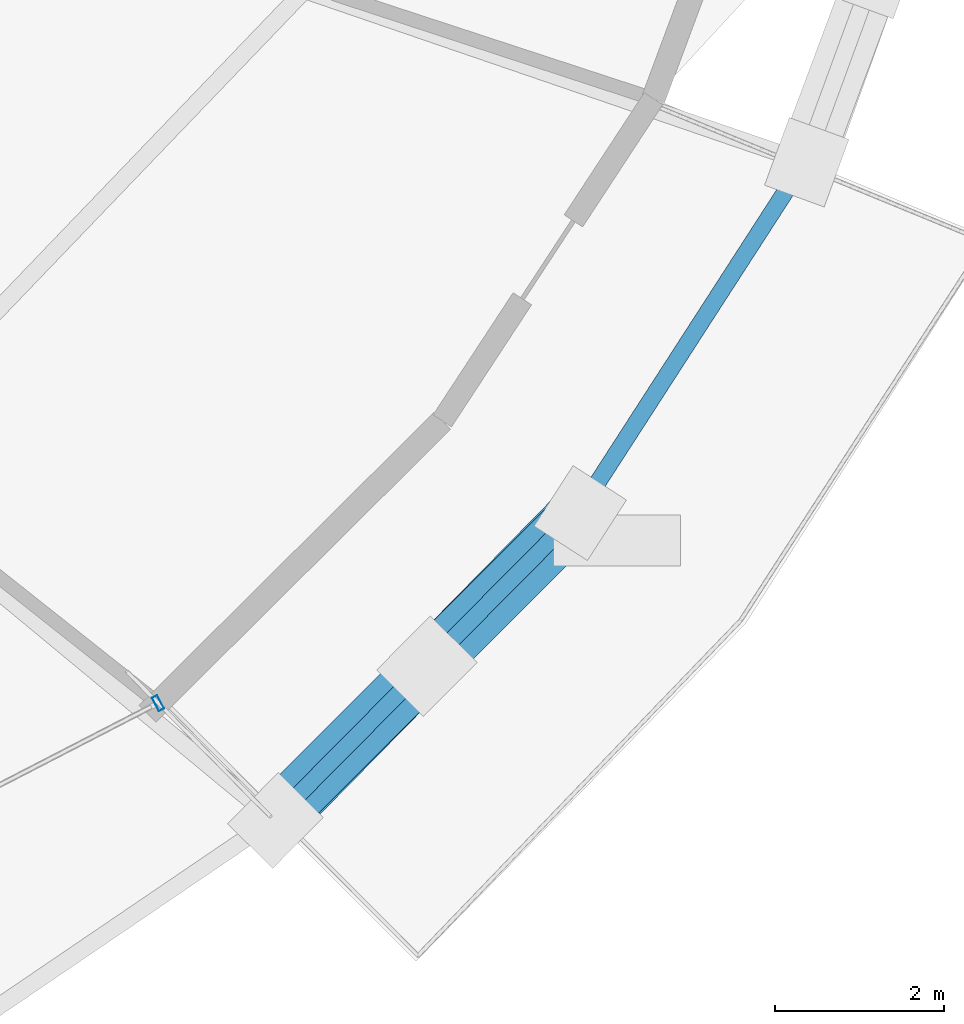
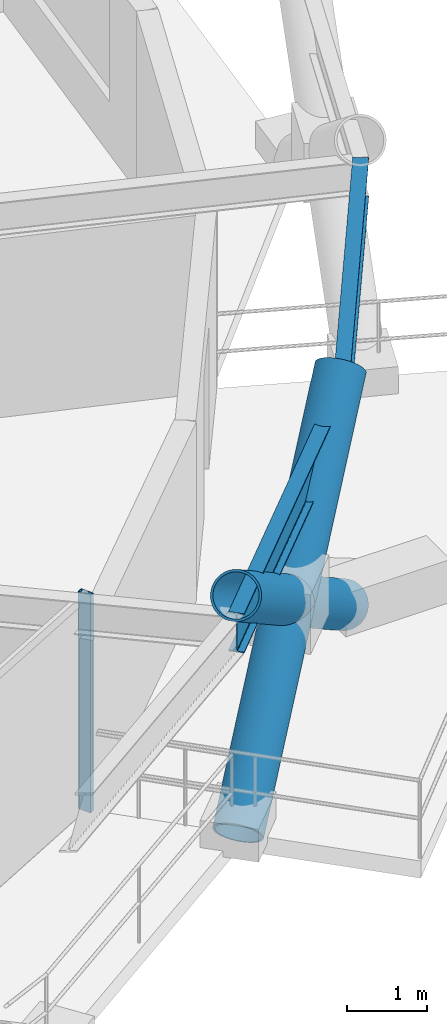
# One storey, part 6 of 14: 4 members, 2 beams, 1 element without a shape of its own.
"""IFC4 building model written with IfcOpenShell, lengths in metres."""

from ifc_helpers import new_model, si_unit, direction, frame, origin, origin_2d, place, context, subcontext, project, spatial, hollow_rectangle, hollow_circle, i_section, extrude, material, layer, layer_set, material_profile, profile_set, type_object, element, aggregate, save


model = new_model("IFC4")

# Units and contexts
model_context = context("Model", 3, precision=1e-05, world=origin(), true_north=direction((0.0, 1.0)))
body_context = subcontext(model_context, "Body", "Model", "MODEL_VIEW")
ifc_project = project(units=[si_unit("LENGTHUNIT", "METRE"), si_unit("AREAUNIT", "SQUARE_METRE"), si_unit("VOLUMEUNIT", "CUBIC_METRE"), si_unit("PLANEANGLEUNIT", "RADIAN"), si_unit("MASSUNIT", "GRAM", prefix="KILO")], contexts=[model_context])

# Site, building, storey
site_placement = place(None, origin())
site = spatial("IfcSite", under=ifc_project, at=site_placement, CompositionType="ELEMENT")
building_placement = place(site_placement, origin())
building = spatial("IfcBuilding", under=site, at=building_placement, Name="Veldorina Hangang Commons", CompositionType="ELEMENT")
storey_placement = place(building_placement, frame((0.0, 0.0, 88.0)))
storey = spatial("IfcBuildingStorey", under=building, at=storey_placement, Name="L22", CompositionType="ELEMENT", Elevation=88.0)

# Beams
ifc_material_1 = material(Name="Steel SM420-TMC", Category="steel")
ifc_material_profile_1 = material_profile(ifc_material_1, i_section(OverallWidth=0.199951171875, OverallDepth=0.60009765625, WebThickness=0.010986328125, FlangeThickness=0.01708984375, FilletRadius=0.01806640625, at=origin_2d()), Name="H-600x200x11x17")
ifc_profile_set_1 = profile_set([ifc_material_profile_1], Name="Steel SM420-TMC")
beam_type = type_object("IfcBeamType", Name="BM-RB600", PredefinedType="BEAM", material=ifc_profile_set_1)
beam_1_placement = place(storey_placement, frame((52.453857421875, 7.06591796875, 3.0400390625), z_axis=(0.703994455106, 0.710205468283, 0.0), x_axis=(-0.710205468283, 0.703994455106, 0.0)))
element("IfcBeam", 1, at=beam_1_placement, inside=storey, type_object=beam_type, Name="L22 perimeter hoop ring beam 28", PredefinedType="BEAM", context=body_context, shape_type="SweptSolid", body=[
    extrude(i_section(OverallWidth=0.199951171875, OverallDepth=0.60009765625, WebThickness=0.010986328125, FlangeThickness=0.01708984375, FilletRadius=0.01806640625, at=origin_2d()), origin(), (0.0, 0.0, 1.0), 5.110107421875),
])
beam_2_placement = place(storey_placement, frame((56.05126953125, 10.695068359375, 3.0400390625), z_axis=(0.542419093308, 0.840108044965, 0.0), x_axis=(-0.840108044965, 0.542419093308, 0.0)))
element("IfcBeam", 2, at=beam_2_placement, inside=storey, type_object=beam_type, Name="L22 perimeter hoop ring beam 29", PredefinedType="BEAM", context=body_context, shape_type="SweptSolid", body=[
    extrude(i_section(OverallWidth=0.199951171875, OverallDepth=0.60009765625, WebThickness=0.010986328125, FlangeThickness=0.01708984375, FilletRadius=0.01806640625, at=origin_2d()), origin(), (0.0, 0.0, 1.0), 4.927978515625),
])

# Curtain wall, member
ifc_material_2 = material(Name="Glass Low-E Triple IGU", Category="glass")
ifc_layer = layer(ifc_material_2, 0.179931640625)
ifc_layer_set = layer_set([ifc_layer], Name="Glass Low-E Triple IGU")
curtain_wall_type = type_object("IfcCurtainWallType", Name="CW-SYS-Z1", PredefinedType="NOTDEFINED", material=ifc_layer_set)
curtain_wall_placement = place(storey_placement, origin())
curtain_wall = element("IfcCurtainWall", 3, at=curtain_wall_placement, inside=storey, type_object=curtain_wall_type, Name="L22 unitised curtain wall CW-L22-R2", PredefinedType="NOTDEFINED")
ifc_material_3 = material(Name="Aluminium Anodized AA6063-T6", Category="aluminium")
ifc_material_profile_2 = material_profile(ifc_material_3, hollow_rectangle(XDim=0.070068359375, YDim=0.179931640625, WallThickness=0.00390625, at=origin_2d()), Name="ALU-RHS-180x70x4")
ifc_profile_set_2 = profile_set([ifc_material_profile_2], Name="Aluminium Anodized AA6063-T6")
member_type_1 = type_object("IfcMemberType", Name="CW-MUL-180", PredefinedType="MULLION", material=ifc_profile_set_2)
member_1_placement = place(storey_placement, frame((51.0859375, 8.439208984375, 0.0), z_axis=(0.0, 0.0, 1.0), x_axis=(-0.888657253995, -0.458572006256, 0.0)))
member_1 = element("IfcMember", 4, at=member_1_placement, type_object=member_type_1, Name="CW-L22-R2 vertical mullion 2", PredefinedType="MULLION", context=body_context, shape_type="SweptSolid", body=[
    extrude(hollow_rectangle(XDim=0.070068359375, YDim=0.179931640625, WallThickness=0.00390625, at=origin_2d()), origin(), (0.0, 0.0, 1.0), 3.300048828125),
])
aggregate(curtain_wall, [member_1])

# Members
ifc_material_4 = material(Name="Steel SM460-TMC", Category="steel")
ifc_material_profile_3 = material_profile(ifc_material_4, hollow_circle(Radius=0.324951171875, WallThickness=0.031982421875, at=origin_2d()), Name="CHS-650x32")
ifc_profile_set_3 = profile_set([ifc_material_profile_3], Name="Steel SM460-TMC")
member_type_2 = type_object("IfcMemberType", Name="DG-CHS650", PredefinedType="BRACE", material=ifc_profile_set_3)
member_2_placement = place(storey_placement, frame((52.471923828125, 7.05322265625, 0.0), z_axis=(0.572369009052, 0.583312219877, 0.576316381529), x_axis=(-0.71377041654, 0.700379748759, 0.0)))
element("IfcMember", 5, at=member_2_placement, inside=storey, type_object=member_type_2, Name="L22 continuous perimeter diagrid brace 28", PredefinedType="BRACE", context=body_context, shape_type="SweptSolid", body=[
    extrude(hollow_circle(Radius=0.324951171875, WallThickness=0.031982421875, at=origin_2d()), origin(), (0.0, 0.0, 1.0), 6.246826171875),
])
member_3_placement = place(storey_placement, frame((56.072509765625, 10.68505859375, 0.0), z_axis=(-0.578856113764, -0.577920210589, 0.575268484927), x_axis=(0.70653445708, -0.707678642435, 0.0)))
element("IfcMember", 6, at=member_3_placement, inside=storey, type_object=member_type_2, Name="L22 split perimeter diagrid lower brace 29", PredefinedType="BRACE", context=body_context, shape_type="SweptSolid", body=[
    extrude(hollow_circle(Radius=0.324951171875, WallThickness=0.031982421875, at=origin_2d()), origin(), (0.0, 0.0, 1.0), 3.13037109375),
])
member_4_placement = place(storey_placement, frame((54.260498046875, 8.8759765625, 1.80078125), z_axis=(-0.578701599614, -0.577999007627, 0.575344771234), x_axis=(0.706677146805, -0.707536154682, 0.0)))
element("IfcMember", 7, at=member_4_placement, inside=storey, type_object=member_type_2, Name="L22 split perimeter diagrid upper brace 29", PredefinedType="BRACE", context=body_context, shape_type="SweptSolid", body=[
    extrude(hollow_circle(Radius=0.324951171875, WallThickness=0.031982421875, at=origin_2d()), origin(), (0.0, 0.0, 1.0), 3.12744140625),
])

save(model, "model.ifc")
